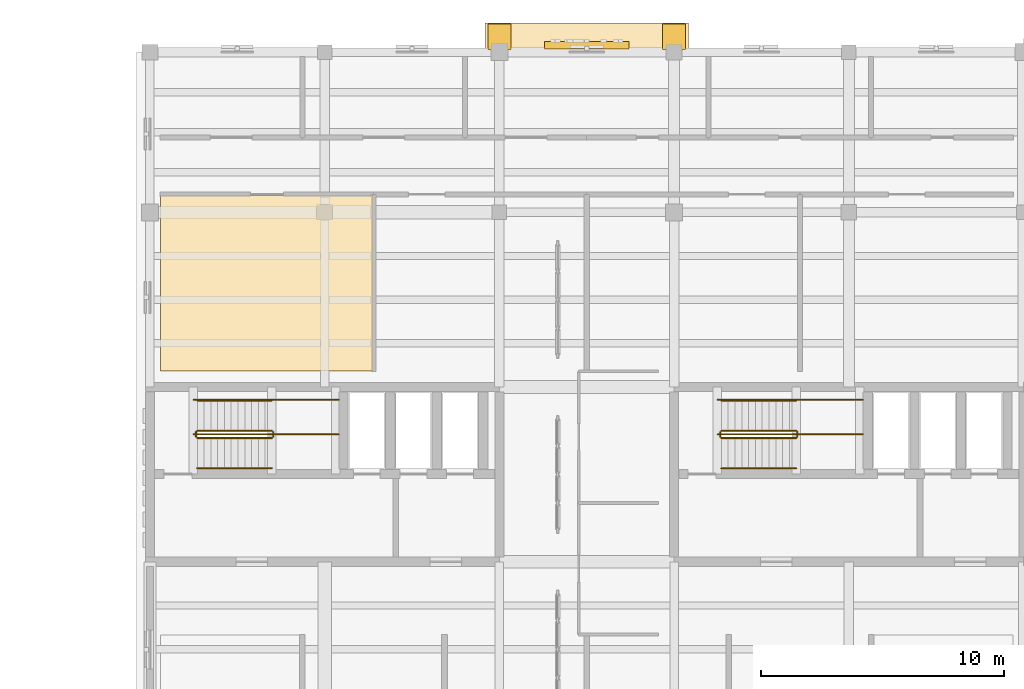
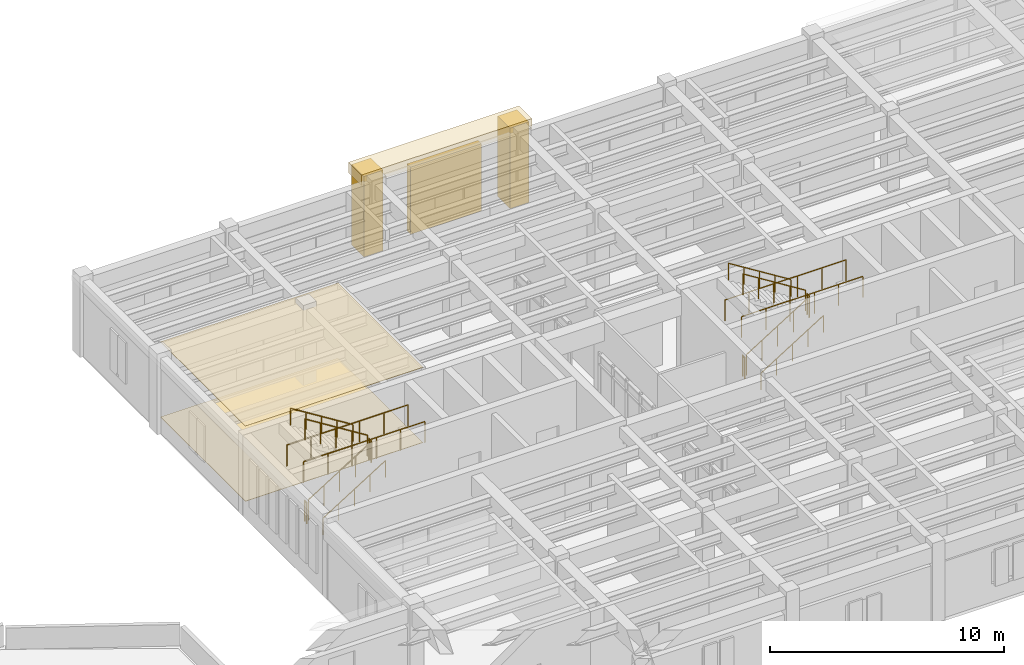
# One storey, part 63 of 66: 16 railings, 6 coverings.
"""IFC4 building model written with IfcOpenShell, lengths in metres."""

import ifcopenshell
import ifcopenshell.guid

model = None  # the IFC model being written
_history = None  # IfcOwnerHistory: only IFC2X3 demands one
_inside = {}  # id of a spatial element -> (the spatial element, [elements in it])
_under = {}  # id of a project, library or spatial element -> (it, [spatial elements below it])
_declared = {}  # id of a project -> (the project, [libraries it declares])
_typed = {}  # id of a type object -> (the type object, [elements of that type])
_made_of = {}  # id of a material, layer set ... -> (it, [elements and type objects made of it])


def new_model(schema):
    """Start an empty IFC model of exactly this schema.

    Asked for "IFC4X3", IfcOpenShell would pick the latest addendum, in which some entities
    have other attributes; the version numbers below select the first issue.
    IFC2X3 requires an IfcOwnerHistory on every rooted entity: one is made here for all.
    """
    global model, _history
    if schema == "IFC4X3":
        model = ifcopenshell.file(schema_version=(4, 3, 0, 0))
    else:
        model = ifcopenshell.file(schema=schema)
    _inside.clear()
    _under.clear()
    _declared.clear()
    _typed.clear()
    _made_of.clear()
    _history = None
    if model.schema == "IFC2X3":
        org = make("IfcOrganization", Name="unknown")
        user = make(
            "IfcPersonAndOrganization",
            ThePerson=make("IfcPerson", FamilyName="unknown"),
            TheOrganization=org,
        )
        app = make(
            "IfcApplication",
            ApplicationDeveloper=org,
            Version="unknown",
            ApplicationFullName="unknown",
            ApplicationIdentifier="unknown",
        )
        _history = make(
            "IfcOwnerHistory",
            OwningUser=user,
            OwningApplication=app,
            ChangeAction="ADDED",
            CreationDate=0,
        )
    return model


def make(cls, **values):
    """One entity of the class cls with the attributes given. An attribute that is None is left unset."""
    return model.create_entity(
        cls, **{name: value for name, value in values.items() if value is not None}
    )


def rooted(cls, **values):
    """An entity with a GlobalId (a new one), such as an element, a storey or a relation."""
    return make(cls, GlobalId=ifcopenshell.guid.new(), OwnerHistory=_history, **values)


def si_unit(unit_type, name, prefix=None):
    """IfcSIUnit, for example si_unit("LENGTHUNIT", "METRE", prefix="MILLI")."""
    return make("IfcSIUnit", UnitType=unit_type, Prefix=prefix, Name=name)


def assignment(units):
    """IfcUnitAssignment: the units of a project."""
    return None if units is None else make("IfcUnitAssignment", Units=units)


def point(xyz):
    """IfcCartesianPoint."""
    return None if xyz is None else make("IfcCartesianPoint", Coordinates=xyz)


def direction(xyz):
    """IfcDirection."""
    return None if xyz is None else make("IfcDirection", DirectionRatios=xyz)


def frame(location, z_axis=None, x_axis=None):
    """IfcAxis2Placement3D, a coordinate frame: its origin and axes. An axis left out is left unset."""
    return make(
        "IfcAxis2Placement3D",
        Location=point(location),
        Axis=direction(z_axis),
        RefDirection=direction(x_axis),
    )


def frame_2d(location, x_axis=None):
    """IfcAxis2Placement2D, a coordinate frame in the plane: its origin and x axis."""
    return make(
        "IfcAxis2Placement2D", Location=point(location), RefDirection=direction(x_axis)
    )


def origin():
    """The frame at (0, 0, 0) with its axes left unset."""
    return frame((0.0, 0.0, 0.0))


def origin_2d():
    """The frame at (0, 0) in the plane with its x axis left unset."""
    return frame_2d((0.0, 0.0))


def place(relative_to, where):
    """IfcLocalPlacement: puts the frame where relative to a parent placement (None: the world)."""
    return make(
        "IfcLocalPlacement", PlacementRelTo=relative_to, RelativePlacement=where
    )


def context(
    kind, dimensions, precision=None, world=None, true_north=None, identifier=None
):
    """IfcGeometricRepresentationContext, for example the 3D "Model" context."""
    return make(
        "IfcGeometricRepresentationContext",
        ContextIdentifier=identifier,
        ContextType=kind,
        CoordinateSpaceDimension=dimensions,
        Precision=precision,
        WorldCoordinateSystem=world,
        TrueNorth=true_north,
    )


def subcontext(parent, identifier, kind, view, scale=None):
    """IfcGeometricRepresentationSubContext, for example "Body" below "Model"."""
    return make(
        "IfcGeometricRepresentationSubContext",
        ContextIdentifier=identifier,
        ContextType=kind,
        ParentContext=parent,
        TargetScale=scale,
        TargetView=view,
    )


def project(units=None, contexts=None):
    """IfcProject with its units and contexts."""
    return rooted(
        "IfcProject",
        Name="project",
        RepresentationContexts=contexts,
        UnitsInContext=assignment(units),
    )


def spatial(cls, under=None, at=None, **own):
    """A site, building, storey or space (cls), placed at a placement, below another one or the project."""
    s = rooted(cls, ObjectPlacement=at, **own)
    if under is not None:
        _under.setdefault(under.id(), (under, []))[1].append(s)
    return s


def polyline(points):
    """IfcPolyline through the points."""
    return make("IfcPolyline", Points=[point(p) for p in points])


def profile(cls, at=None, kind="AREA", **sizes):
    """A parametric profile (cls). Its sizes go by their IFC names, for example OverallWidth=200.0."""
    return make(cls, ProfileType=kind, Position=at, **sizes)


def rectangle(**sizes):
    """IfcRectangleProfileDef."""
    return profile("IfcRectangleProfileDef", **sizes)


def circle(**sizes):
    """IfcCircleProfileDef."""
    return profile("IfcCircleProfileDef", **sizes)


def outline(outer, holes=None, kind="AREA"):
    """IfcArbitraryClosedProfileDef: a profile drawn as a closed curve; with holes, ...WithVoids."""
    if holes is None:
        return make("IfcArbitraryClosedProfileDef", ProfileType=kind, OuterCurve=outer)
    return make(
        "IfcArbitraryProfileDefWithVoids",
        ProfileType=kind,
        OuterCurve=outer,
        InnerCurves=holes,
    )


def extrude(swept, where, along, depth):
    """IfcExtrudedAreaSolid: the profile swept, set in the frame where, extruded along a direction by depth."""
    return make(
        "IfcExtrudedAreaSolid",
        SweptArea=swept,
        Position=where,
        ExtrudedDirection=direction(along),
        Depth=depth,
    )


def shape(context_of_items, identifier, shape_type, items):
    """IfcShapeRepresentation: the items that make up one representation, for example the "Body"."""
    return make(
        "IfcShapeRepresentation",
        ContextOfItems=context_of_items,
        RepresentationIdentifier=identifier,
        RepresentationType=shape_type,
        Items=items,
    )


def material(Name=None, Category=None):
    """IfcMaterial."""
    return make("IfcMaterial", Name=Name, Category=Category)


def layer(
    of_material, thickness, ventilated=None, Name=None, Category=None, Priority=None
):
    """IfcMaterialLayer: one layer of a wall or slab, of a material (None: an air gap)."""
    return make(
        "IfcMaterialLayer",
        Material=of_material,
        LayerThickness=thickness,
        IsVentilated=ventilated,
        Name=Name,
        Category=Category,
        Priority=Priority,
    )


def layer_set(layers, Name=None):
    """IfcMaterialLayerSet."""
    return make("IfcMaterialLayerSet", MaterialLayers=layers, LayerSetName=Name)


def made_of(thing, what):
    """Note that an element or type object is made of a material, layer set ...; save() writes the relation."""
    if what is not None:
        _made_of.setdefault(what.id(), (what, []))[1].append(thing)
    return thing


def type_object(cls, material=None, **own):
    """A type object (cls), such as IfcWallType, which elements share."""
    return made_of(rooted(cls, **own), material)


def element(
    cls,
    number,
    at=None,
    inside=None,
    cuts=None,
    type_object=None,
    material=None,
    context=None,
    identifier="Body",
    shape_type=None,
    held_by="IfcProductDefinitionShape",
    body=None,
    shapes=None,
    **own,
):
    """One element of the class cls, such as IfcWall. Its Tag is "e" and its number.

    at: its placement. inside: the storey or other place that contains it. cuts: it is an
    opening in that element (IfcRelVoidsElement). A single representation is given by context,
    identifier, shape_type and body (its items); several are given by shapes. held_by: the class
    of the entity that holds the representations. save() writes the other relations.
    """
    e = rooted(cls, Tag="e%d" % number, ObjectPlacement=at, **own)
    if body is not None:
        shapes = [shape(context, identifier, shape_type, body)]
    if shapes is not None:
        e.Representation = make(held_by, Representations=shapes)
    if inside is not None:
        _inside.setdefault(inside.id(), (inside, []))[1].append(e)
    if cuts is not None:
        rooted(
            "IfcRelVoidsElement", RelatingBuildingElement=cuts, RelatedOpeningElement=e
        )
    if type_object is not None:
        _typed.setdefault(type_object.id(), (type_object, []))[1].append(e)
    return made_of(e, material)


def aggregate(whole, parts):
    """IfcRelAggregates: a whole, such as a stair, and the parts it consists of."""
    return rooted("IfcRelAggregates", RelatingObject=whole, RelatedObjects=parts)


def save(model, path):
    """Write the relations noted so far, then the file.

    IfcRelAggregates (storeys below a building ...), IfcRelContainedInSpatialStructure (elements
    in a storey), IfcRelDefinesByType, IfcRelAssociatesMaterial and IfcRelDeclares: one each for
    every whole, place, type object, material and project.
    """
    for whole, parts in _under.values():
        aggregate(whole, parts)
    for where, things in _inside.values():
        rooted(
            "IfcRelContainedInSpatialStructure",
            RelatedElements=things,
            RelatingStructure=where,
        )
    for kind, things in _typed.values():
        rooted("IfcRelDefinesByType", RelatedObjects=things, RelatingType=kind)
    for what, things in _made_of.values():
        rooted("IfcRelAssociatesMaterial", RelatedObjects=things, RelatingMaterial=what)
    for by, libraries in _declared.values():
        rooted("IfcRelDeclares", RelatingContext=by, RelatedDefinitions=libraries)
    model.write(path)


model = new_model("IFC4")

# Units and contexts
model_context = context("Model", 3, precision=1e-05, world=origin(), true_north=direction((0.0, 1.0)))
body_context = subcontext(model_context, "Body", "Model", "MODEL_VIEW")
ifc_project = project(units=[si_unit("LENGTHUNIT", "METRE"), si_unit("AREAUNIT", "SQUARE_METRE"), si_unit("VOLUMEUNIT", "CUBIC_METRE"), si_unit("PLANEANGLEUNIT", "RADIAN"), si_unit("MASSUNIT", "GRAM", prefix="KILO")], contexts=[model_context])

# Site, building, storey
site_placement = place(None, origin())
site = spatial("IfcSite", under=ifc_project, at=site_placement, CompositionType="ELEMENT")
building_placement = place(site_placement, origin())
building = spatial("IfcBuilding", under=site, at=building_placement, Name="Mithqara Police Headquarters", CompositionType="ELEMENT")
storey_placement = place(building_placement, frame((0.0, 0.0, 9.60009765625)))
storey = spatial("IfcBuildingStorey", under=building, at=storey_placement, Name="L02", CompositionType="ELEMENT", Elevation=9.60009765625)

# Coverings
ifc_material_1 = material(Name="Acoustic mineral-fibre ceiling tile", Category="gypsum")
ifc_layer_1 = layer(ifc_material_1, 0.02490234375, Name="Acoustic mineral-fibre ceiling tile")
ifc_layer_set_1 = layer_set([ifc_layer_1], Name="Acoustic mineral-fibre ceiling tile")
covering_type_1 = type_object("IfcCoveringType", Name="ACOUSTIC CEILING TILE", PredefinedType="CEILING", material=ifc_layer_set_1)
covering_1_placement = place(storey_placement, frame((0.0, 0.0, 3.914794921875)))
element("IfcCovering", 1, at=covering_1_placement, inside=storey, type_object=covering_type_1, Name="Incident Briefing Room Acoustic Ceiling", PredefinedType="CEILING", context=body_context, shape_type="SweptSolid", body=[
    extrude(outline(polyline([(109.0400390625, 100.8701171875), (117.7900390625, 100.8701171875), (117.7900390625, 108.1201171875), (109.0400390625, 108.1201171875), (109.0400390625, 100.8701171875)])), origin(), (0.0, 0.0, 1.0), 0.025146484375),
])
ifc_material_2 = material(Name="Limestone ashlar masonry, 45 MPa", Category="masonry")
ifc_layer_2 = layer(ifc_material_2, 0.320068359375, Name="Limestone ashlar masonry, 45 MPa")
ifc_layer_set_2 = layer_set([ifc_layer_2], Name="Limestone ashlar masonry, 45 MPa")
covering_type_2 = type_object("IfcCoveringType", Name="CORNICE LIMESTONE", PredefinedType="CLADDING", material=ifc_layer_set_2)
covering_2_placement = place(storey_placement, frame((126.60009765625, 114.64990234375, 3.77490234375), z_axis=(0.0, 0.0, 1.0), x_axis=(1.0, 0.0, 0.0)))
element("IfcCovering", 2, at=covering_2_placement, inside=storey, type_object=covering_type_2, Name="Public Entrance Portal Crowning Cornice", PredefinedType="CLADDING", context=body_context, shape_type="SweptSolid", body=[
    extrude(rectangle(XDim=8.39990234375, YDim=1.10009765625, at=origin_2d()), origin(), (0.0, 0.0, 1.0), 0.550048828125),
])
for number, where, z_axis, x_axis, name in (
    (3, (123.0, 114.6298828125, 0.0), (0.0, 0.0, 1.0), (1.0, 0.0, 0.0), "Recessed Entrance Portal Cheek Pier W-L02"),
    (4, (130.199951171875, 114.6298828125, 0.0), (0.0, 0.0, 1.0), (1.0, 0.0, 0.0), "Recessed Entrance Portal Cheek Pier E-L02"),
):
    element("IfcCovering", number, at=place(storey_placement, frame(where, z_axis=z_axis, x_axis=x_axis)), inside=storey, type_object=covering_type_2, Name=name, PredefinedType="CLADDING", context=body_context, shape_type="SweptSolid", body=[
        extrude(rectangle(XDim=0.949951171875, YDim=1.050048828125, at=origin_2d()), origin(), (0.0, 0.0, 1.0), 4.199951171875),
    ])
covering_3_placement = place(storey_placement, frame((126.60009765625, 114.2900390625, 0.349853515625), z_axis=(0.0, 0.0, 1.0), x_axis=(1.0, 0.0, 0.0)))
element("IfcCovering", 5, at=covering_3_placement, inside=storey, type_object=covering_type_2, Name="Public Entrance Portal Clock Dial Face", PredefinedType="CLADDING", context=body_context, shape_type="SweptSolid", body=[
    extrude(rectangle(XDim=3.5, YDim=0.300048828125, at=origin_2d()), origin(), (0.0, 0.0, 1.0), 3.5),
])

# Railings
ifc_material_3 = material(Name="Steel S355JR", Category="steel")
railing_type_1 = type_object("IfcRailingType", Name="HANDRAIL 920", PredefinedType="HANDRAIL", material=ifc_material_3)
railing_1_placement = place(storey_placement, frame((110.550048828125, 96.85009765625, 0.1748046875)))
element("IfcRailing", 6, at=railing_1_placement, inside=storey, type_object=railing_type_1, Name="L02 ST-01 stair handrail 1", PredefinedType="HANDRAIL", context=body_context, shape_type="SweptSolid", body=[
    extrude(circle(Radius=0.02392578125, at=origin_2d()), frame((0.0, 0.0, 0.8759765625), z_axis=(0.847979421464, 0.0, 0.530029150871), x_axis=(0.0, 1.0, 0.0)), (0.0, 0.0, 1.0), 3.632080078125),
    extrude(circle(Radius=0.02099609375, at=origin_2d()), origin(), (0.0, 0.0, 1.0), 0.851806640625),
    extrude(circle(Radius=0.02099609375, at=origin_2d()), frame((0.77001953125, 0.0, 0.481201171875)), (0.0, 0.0, 1.0), 0.851806640625),
    extrude(circle(Radius=0.02099609375, at=origin_2d()), frame((1.5400390625, 0.0, 0.96240234375)), (0.0, 0.0, 1.0), 0.851806640625),
    extrude(circle(Radius=0.02099609375, at=origin_2d()), frame((2.309814453125, 0.0, 1.44384765625)), (0.0, 0.0, 1.0), 0.851806640625),
    extrude(circle(Radius=0.02099609375, at=origin_2d()), frame((3.079833984375, 0.0, 1.925048828125)), (0.0, 0.0, 1.0), 0.851806640625),
])
railing_2_placement = place(storey_placement, frame((113.6298828125, 99.64990234375, 2.27490234375)))
element("IfcRailing", 7, at=railing_2_placement, inside=storey, type_object=railing_type_1, Name="L02 ST-01 stair handrail 2", PredefinedType="HANDRAIL", context=body_context, shape_type="SweptSolid", body=[
    extrude(circle(Radius=0.02392578125, at=origin_2d()), frame((0.0, 0.0, 0.8759765625), z_axis=(-0.847979421464, 0.0, 0.530029150871), x_axis=(0.0, -1.0, 0.0)), (0.0, 0.0, 1.0), 3.632080078125),
    extrude(circle(Radius=0.02099609375, at=origin_2d()), origin(), (0.0, 0.0, 1.0), 0.851806640625),
    extrude(circle(Radius=0.02099609375, at=origin_2d()), frame((-0.77001953125, 0.0, 0.481201171875)), (0.0, 0.0, 1.0), 0.851806640625),
    extrude(circle(Radius=0.02099609375, at=origin_2d()), frame((-1.5400390625, 0.0, 0.96240234375)), (0.0, 0.0, 1.0), 0.851806640625),
    extrude(circle(Radius=0.02099609375, at=origin_2d()), frame((-2.309814453125, 0.0, 1.44384765625)), (0.0, 0.0, 1.0), 0.851806640625),
    extrude(circle(Radius=0.02099609375, at=origin_2d()), frame((-3.079833984375, 0.0, 1.925048828125)), (0.0, 0.0, 1.0), 0.851806640625),
])
railing_3_placement = place(storey_placement, frame((132.14990234375, 96.85009765625, 0.1748046875)))
element("IfcRailing", 8, at=railing_3_placement, inside=storey, type_object=railing_type_1, Name="L02 ST-02 stair handrail 1", PredefinedType="HANDRAIL", context=body_context, shape_type="SweptSolid", body=[
    extrude(circle(Radius=0.02392578125, at=origin_2d()), frame((0.0, 0.0, 0.8759765625), z_axis=(0.847998304005, 0.0, 0.529998940003), x_axis=(0.0, 1.0, 0.0)), (0.0, 0.0, 1.0), 3.632080078125),
    extrude(circle(Radius=0.02099609375, at=origin_2d()), origin(), (0.0, 0.0, 1.0), 0.851806640625),
    extrude(circle(Radius=0.02099609375, at=origin_2d()), frame((0.77001953125, 0.0, 0.481201171875)), (0.0, 0.0, 1.0), 0.851806640625),
    extrude(circle(Radius=0.02099609375, at=origin_2d()), frame((1.5400390625, 0.0, 0.96240234375)), (0.0, 0.0, 1.0), 0.851806640625),
    extrude(circle(Radius=0.02099609375, at=origin_2d()), frame((2.31005859375, 0.0, 1.44384765625)), (0.0, 0.0, 1.0), 0.851806640625),
    extrude(circle(Radius=0.02099609375, at=origin_2d()), frame((3.080078125, 0.0, 1.925048828125)), (0.0, 0.0, 1.0), 0.851806640625),
])
railing_4_placement = place(storey_placement, frame((135.22998046875, 99.64990234375, 2.27490234375)))
element("IfcRailing", 9, at=railing_4_placement, inside=storey, type_object=railing_type_1, Name="L02 ST-02 stair handrail 2", PredefinedType="HANDRAIL", context=body_context, shape_type="SweptSolid", body=[
    extrude(circle(Radius=0.02392578125, at=origin_2d()), frame((0.0, 0.0, 0.8759765625), z_axis=(-0.847998304005, 0.0, 0.529998940003), x_axis=(0.0, -1.0, 0.0)), (0.0, 0.0, 1.0), 3.632080078125),
    extrude(circle(Radius=0.02099609375, at=origin_2d()), origin(), (0.0, 0.0, 1.0), 0.851806640625),
    extrude(circle(Radius=0.02099609375, at=origin_2d()), frame((-0.77001953125, 0.0, 0.481201171875)), (0.0, 0.0, 1.0), 0.851806640625),
    extrude(circle(Radius=0.02099609375, at=origin_2d()), frame((-1.5400390625, 0.0, 0.96240234375)), (0.0, 0.0, 1.0), 0.851806640625),
    extrude(circle(Radius=0.02099609375, at=origin_2d()), frame((-2.31005859375, 0.0, 1.44384765625)), (0.0, 0.0, 1.0), 0.851806640625),
    extrude(circle(Radius=0.02099609375, at=origin_2d()), frame((-3.080078125, 0.0, 1.925048828125)), (0.0, 0.0, 1.0), 0.851806640625),
])
railing_type_2 = type_object("IfcRailingType", Name="STAIR GUARD 1120", PredefinedType="GUARDRAIL", material=ifc_material_3)
railing_5_placement = place(storey_placement, frame((110.550048828125, 98.10009765625, 0.1748046875)))
element("IfcRailing", 10, at=railing_5_placement, inside=storey, type_object=railing_type_2, Name="L02 ST-01 stair guard 1", PredefinedType="GUARDRAIL", context=body_context, shape_type="SweptSolid", body=[
    extrude(circle(Radius=0.02392578125, at=origin_2d()), frame((0.0, 0.0, 1.076171875), z_axis=(0.847979421464, 0.0, 0.530029150871), x_axis=(0.0, 1.0, 0.0)), (0.0, 0.0, 1.0), 3.632080078125),
    extrude(circle(Radius=0.02099609375, at=origin_2d()), origin(), (0.0, 0.0, 1.0), 1.052001953125),
    extrude(circle(Radius=0.02099609375, at=origin_2d()), frame((0.77001953125, 0.0, 0.481201171875)), (0.0, 0.0, 1.0), 1.052001953125),
    extrude(circle(Radius=0.02099609375, at=origin_2d()), frame((1.5400390625, 0.0, 0.96240234375)), (0.0, 0.0, 1.0), 1.052001953125),
    extrude(circle(Radius=0.02099609375, at=origin_2d()), frame((2.309814453125, 0.0, 1.44384765625)), (0.0, 0.0, 1.0), 1.052001953125),
    extrude(circle(Radius=0.02099609375, at=origin_2d()), frame((3.079833984375, 0.0, 1.925048828125)), (0.0, 0.0, 1.0), 1.052001953125),
])
railing_6_placement = place(storey_placement, frame((113.679931640625, 98.14990234375, 2.099853515625)))
element("IfcRailing", 11, at=railing_6_placement, inside=storey, type_object=railing_type_2, Name="L02 ST-01 stair guard 2", PredefinedType="GUARDRAIL", context=body_context, shape_type="SweptSolid", body=[
    extrude(circle(Radius=0.02392578125, at=origin_2d()), frame((0.0, 0.0, 1.076171875), z_axis=(0.0, 1.0, 0.0), x_axis=(-1.0, 0.0, 0.0)), (0.0, 0.0, 1.0), 0.2001953125),
    extrude(circle(Radius=0.02099609375, at=origin_2d()), origin(), (0.0, 0.0, 1.0), 1.052001953125),
    extrude(circle(Radius=0.02099609375, at=origin_2d()), frame((0.0, 0.2001953125, 0.0)), (0.0, 0.0, 1.0), 1.052001953125),
])
railing_7_placement = place(storey_placement, frame((113.6298828125, 98.39990234375, 2.27490234375)))
element("IfcRailing", 12, at=railing_7_placement, inside=storey, type_object=railing_type_2, Name="L02 ST-01 stair guard 3", PredefinedType="GUARDRAIL", context=body_context, shape_type="SweptSolid", body=[
    extrude(circle(Radius=0.02392578125, at=origin_2d()), frame((0.0, 0.0, 1.076171875), z_axis=(-0.847979421464, 0.0, 0.530029150871), x_axis=(0.0, -1.0, 0.0)), (0.0, 0.0, 1.0), 3.632080078125),
    extrude(circle(Radius=0.02099609375, at=origin_2d()), origin(), (0.0, 0.0, 1.0), 1.052001953125),
    extrude(circle(Radius=0.02099609375, at=origin_2d()), frame((-0.77001953125, 0.0, 0.481201171875)), (0.0, 0.0, 1.0), 1.052001953125),
    extrude(circle(Radius=0.02099609375, at=origin_2d()), frame((-1.5400390625, 0.0, 0.96240234375)), (0.0, 0.0, 1.0), 1.052001953125),
    extrude(circle(Radius=0.02099609375, at=origin_2d()), frame((-2.309814453125, 0.0, 1.44384765625)), (0.0, 0.0, 1.0), 1.052001953125),
    extrude(circle(Radius=0.02099609375, at=origin_2d()), frame((-3.079833984375, 0.0, 1.925048828125)), (0.0, 0.0, 1.0), 1.052001953125),
])
railing_8_placement = place(storey_placement, frame((110.5, 98.14990234375, 0.0)))
element("IfcRailing", 13, at=railing_8_placement, inside=storey, type_object=railing_type_2, Name="L02 ST-01 stair guard 4", PredefinedType="GUARDRAIL", context=body_context, shape_type="SweptSolid", body=[
    extrude(circle(Radius=0.02392578125, at=origin_2d()), frame((0.0, 0.0, 1.076171875), z_axis=(0.0, 1.0, 0.0), x_axis=(-1.0, 0.0, 0.0)), (0.0, 0.0, 1.0), 0.2001953125),
    extrude(circle(Radius=0.02099609375, at=origin_2d()), origin(), (0.0, 0.0, 1.0), 1.052001953125),
    extrude(circle(Radius=0.02099609375, at=origin_2d()), frame((0.0, 0.2001953125, 0.0)), (0.0, 0.0, 1.0), 1.052001953125),
])
for number, where, name in (
    (14, (110.39990234375, 98.25, 2.099853515625), "L02 ST-01 Half-Landing Guard IN"),
    (15, (110.39990234375, 99.679931640625, 2.099853515625), "L02 ST-01 Half-Landing Guard OUT"),
):
    element("IfcRailing", number, at=place(storey_placement, frame(where)), inside=storey, type_object=railing_type_2, Name=name, PredefinedType="GUARDRAIL", context=body_context, shape_type="SweptSolid", body=[
        extrude(circle(Radius=0.02392578125, at=origin_2d()), frame((0.0, 0.0, 1.09619140625), z_axis=(1.0, 0.0, 0.0), x_axis=(0.0, 1.0, 0.0)), (0.0, 0.0, 1.0), 5.97998046875),
        extrude(circle(Radius=0.02099609375, at=origin_2d()), origin(), (0.0, 0.0, 1.0), 1.072021484375),
        extrude(circle(Radius=0.02099609375, at=origin_2d()), frame((1.196044921875, 0.0, 0.0)), (0.0, 0.0, 1.0), 1.072021484375),
        extrude(circle(Radius=0.02099609375, at=origin_2d()), frame((2.39208984375, 0.0, 0.0)), (0.0, 0.0, 1.0), 1.072021484375),
        extrude(circle(Radius=0.02099609375, at=origin_2d()), frame((3.587890625, 0.0, 0.0)), (0.0, 0.0, 1.0), 1.072021484375),
        extrude(circle(Radius=0.02099609375, at=origin_2d()), frame((4.783935546875, 0.0, 0.0)), (0.0, 0.0, 1.0), 1.072021484375),
        extrude(circle(Radius=0.02099609375, at=origin_2d()), frame((5.97998046875, 0.0, 0.0)), (0.0, 0.0, 1.0), 1.072021484375),
    ])
railing_9_placement = place(storey_placement, frame((132.14990234375, 98.10009765625, 0.1748046875)))
element("IfcRailing", 16, at=railing_9_placement, inside=storey, type_object=railing_type_2, Name="L02 ST-02 stair guard 1", PredefinedType="GUARDRAIL", context=body_context, shape_type="SweptSolid", body=[
    extrude(circle(Radius=0.02392578125, at=origin_2d()), frame((0.0, 0.0, 1.076171875), z_axis=(0.847998304005, 0.0, 0.529998940003), x_axis=(0.0, 1.0, 0.0)), (0.0, 0.0, 1.0), 3.632080078125),
    extrude(circle(Radius=0.02099609375, at=origin_2d()), origin(), (0.0, 0.0, 1.0), 1.052001953125),
    extrude(circle(Radius=0.02099609375, at=origin_2d()), frame((0.77001953125, 0.0, 0.481201171875)), (0.0, 0.0, 1.0), 1.052001953125),
    extrude(circle(Radius=0.02099609375, at=origin_2d()), frame((1.5400390625, 0.0, 0.96240234375)), (0.0, 0.0, 1.0), 1.052001953125),
    extrude(circle(Radius=0.02099609375, at=origin_2d()), frame((2.31005859375, 0.0, 1.44384765625)), (0.0, 0.0, 1.0), 1.052001953125),
    extrude(circle(Radius=0.02099609375, at=origin_2d()), frame((3.080078125, 0.0, 1.925048828125)), (0.0, 0.0, 1.0), 1.052001953125),
])
railing_10_placement = place(storey_placement, frame((135.280029296875, 98.14990234375, 2.099853515625)))
element("IfcRailing", 17, at=railing_10_placement, inside=storey, type_object=railing_type_2, Name="L02 ST-02 stair guard 2", PredefinedType="GUARDRAIL", context=body_context, shape_type="SweptSolid", body=[
    extrude(circle(Radius=0.02392578125, at=origin_2d()), frame((0.0, 0.0, 1.076171875), z_axis=(0.0, 1.0, 0.0), x_axis=(-1.0, 0.0, 0.0)), (0.0, 0.0, 1.0), 0.2001953125),
    extrude(circle(Radius=0.02099609375, at=origin_2d()), origin(), (0.0, 0.0, 1.0), 1.052001953125),
    extrude(circle(Radius=0.02099609375, at=origin_2d()), frame((0.0, 0.2001953125, 0.0)), (0.0, 0.0, 1.0), 1.052001953125),
])
railing_11_placement = place(storey_placement, frame((135.22998046875, 98.39990234375, 2.27490234375)))
element("IfcRailing", 18, at=railing_11_placement, inside=storey, type_object=railing_type_2, Name="L02 ST-02 stair guard 3", PredefinedType="GUARDRAIL", context=body_context, shape_type="SweptSolid", body=[
    extrude(circle(Radius=0.02392578125, at=origin_2d()), frame((0.0, 0.0, 1.076171875), z_axis=(-0.847998304005, 0.0, 0.529998940003), x_axis=(0.0, -1.0, 0.0)), (0.0, 0.0, 1.0), 3.632080078125),
    extrude(circle(Radius=0.02099609375, at=origin_2d()), origin(), (0.0, 0.0, 1.0), 1.052001953125),
    extrude(circle(Radius=0.02099609375, at=origin_2d()), frame((-0.77001953125, 0.0, 0.481201171875)), (0.0, 0.0, 1.0), 1.052001953125),
    extrude(circle(Radius=0.02099609375, at=origin_2d()), frame((-1.5400390625, 0.0, 0.96240234375)), (0.0, 0.0, 1.0), 1.052001953125),
    extrude(circle(Radius=0.02099609375, at=origin_2d()), frame((-2.31005859375, 0.0, 1.44384765625)), (0.0, 0.0, 1.0), 1.052001953125),
    extrude(circle(Radius=0.02099609375, at=origin_2d()), frame((-3.080078125, 0.0, 1.925048828125)), (0.0, 0.0, 1.0), 1.052001953125),
])
railing_12_placement = place(storey_placement, frame((132.10009765625, 98.14990234375, 0.0)))
element("IfcRailing", 19, at=railing_12_placement, inside=storey, type_object=railing_type_2, Name="L02 ST-02 stair guard 4", PredefinedType="GUARDRAIL", context=body_context, shape_type="SweptSolid", body=[
    extrude(circle(Radius=0.02392578125, at=origin_2d()), frame((0.0, 0.0, 1.076171875), z_axis=(0.0, 1.0, 0.0), x_axis=(-1.0, 0.0, 0.0)), (0.0, 0.0, 1.0), 0.2001953125),
    extrude(circle(Radius=0.02099609375, at=origin_2d()), origin(), (0.0, 0.0, 1.0), 1.052001953125),
    extrude(circle(Radius=0.02099609375, at=origin_2d()), frame((0.0, 0.2001953125, 0.0)), (0.0, 0.0, 1.0), 1.052001953125),
])
for number, where, name in (
    (20, (132.0, 98.25, 2.099853515625), "L02 ST-02 Half-Landing Guard IN"),
    (21, (132.0, 99.679931640625, 2.099853515625), "L02 ST-02 Half-Landing Guard OUT"),
):
    element("IfcRailing", number, at=place(storey_placement, frame(where)), inside=storey, type_object=railing_type_2, Name=name, PredefinedType="GUARDRAIL", context=body_context, shape_type="SweptSolid", body=[
        extrude(circle(Radius=0.02392578125, at=origin_2d()), frame((0.0, 0.0, 1.09619140625), z_axis=(1.0, 0.0, 0.0), x_axis=(0.0, 1.0, 0.0)), (0.0, 0.0, 1.0), 5.97998046875),
        extrude(circle(Radius=0.02099609375, at=origin_2d()), origin(), (0.0, 0.0, 1.0), 1.072021484375),
        extrude(circle(Radius=0.02099609375, at=origin_2d()), frame((1.196044921875, 0.0, 0.0)), (0.0, 0.0, 1.0), 1.072021484375),
        extrude(circle(Radius=0.02099609375, at=origin_2d()), frame((2.39208984375, 0.0, 0.0)), (0.0, 0.0, 1.0), 1.072021484375),
        extrude(circle(Radius=0.02099609375, at=origin_2d()), frame((3.587890625, 0.0, 0.0)), (0.0, 0.0, 1.0), 1.072021484375),
        extrude(circle(Radius=0.02099609375, at=origin_2d()), frame((4.783935546875, 0.0, 0.0)), (0.0, 0.0, 1.0), 1.072021484375),
        extrude(circle(Radius=0.02099609375, at=origin_2d()), frame((5.97998046875, 0.0, 0.0)), (0.0, 0.0, 1.0), 1.072021484375),
    ])

# Covering
ifc_material_4 = material(Name="Polished limestone terrazzo flooring", Category="masonry")
ifc_layer_3 = layer(ifc_material_4, 0.02001953125, Name="Polished limestone terrazzo flooring")
ifc_layer_set_3 = layer_set([ifc_layer_3], Name="Polished limestone terrazzo flooring")
covering_type_3 = type_object("IfcCoveringType", Name="TERRAZZO FLOOR FINISH", PredefinedType="FLOORING", material=ifc_layer_set_3)
covering_4_placement = place(storey_placement, origin())
element("IfcCovering", 22, at=covering_4_placement, inside=storey, type_object=covering_type_3, Name="Incident Briefing Room Terrazzo Floor Finish", PredefinedType="FLOORING", context=body_context, shape_type="SweptSolid", body=[
    extrude(outline(polyline([(109.0400390625, 100.8701171875), (117.7900390625, 100.8701171875), (117.7900390625, 108.1201171875), (109.0400390625, 108.1201171875), (109.0400390625, 100.8701171875)])), origin(), (0.0, 0.0, 1.0), 0.02001953125),
])

save(model, "model.ifc")
